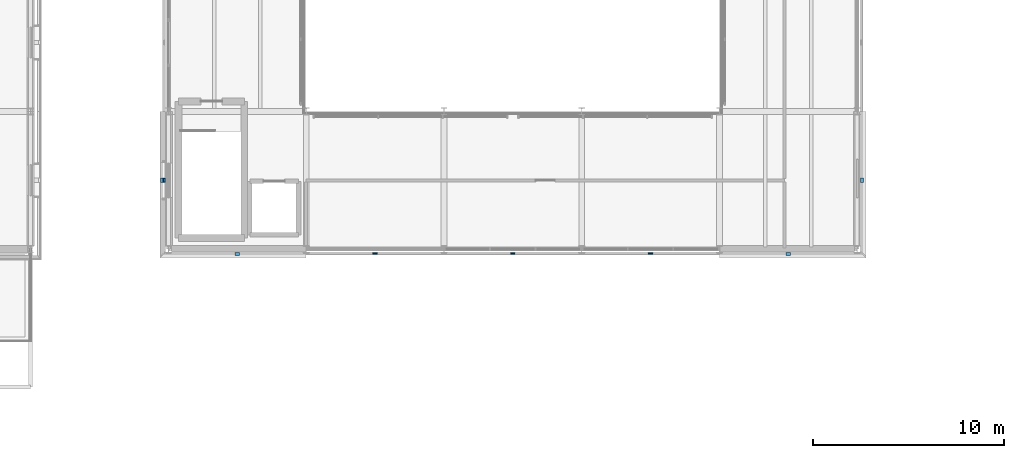
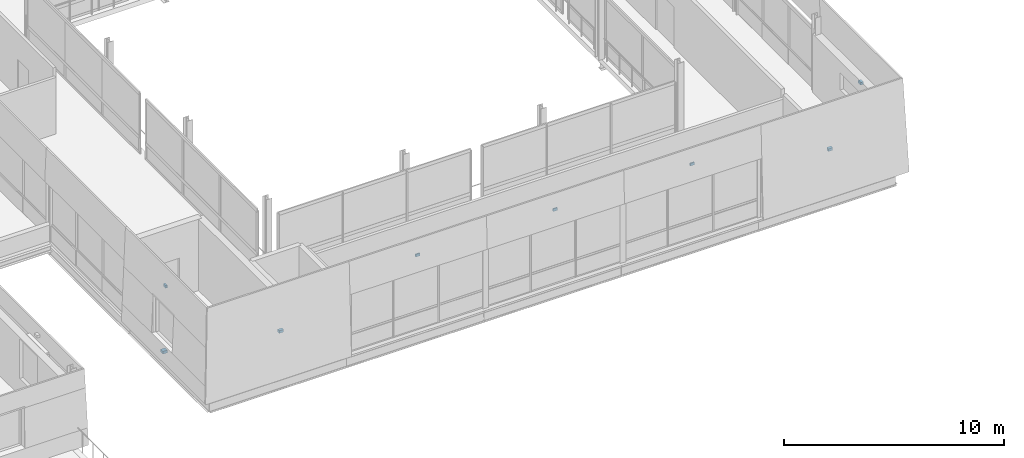
# One storey, part 70 of 91: 8 discrete accessories.
"""IFC4 building model written with IfcOpenShell, lengths in metres."""

from ifc_helpers import new_model, si_unit, direction, frame, origin, origin_2d, place, context, subcontext, project, spatial, rectangle, extrude, material, layer, layer_set, type_object, element, save


model = new_model("IFC4")

# Units and contexts
model_context = context("Model", 3, precision=1e-05, world=origin(), true_north=direction((0.0, 1.0)))
body_context = subcontext(model_context, "Body", "Model", "MODEL_VIEW")
ifc_project = project(units=[si_unit("LENGTHUNIT", "METRE"), si_unit("AREAUNIT", "SQUARE_METRE"), si_unit("VOLUMEUNIT", "CUBIC_METRE"), si_unit("PLANEANGLEUNIT", "RADIAN"), si_unit("MASSUNIT", "GRAM", prefix="KILO")], contexts=[model_context])

# Site, building, storey
site_placement = place(None, origin())
site = spatial("IfcSite", under=ifc_project, at=site_placement, CompositionType="ELEMENT")
building_placement = place(site_placement, origin())
building = spatial("IfcBuilding", under=site, at=building_placement, Name="Narikvali Park Central Library", CompositionType="ELEMENT")
storey_placement = place(building_placement, frame((0.0, 0.0, 14.39990234375)))
storey = spatial("IfcBuildingStorey", under=building, at=storey_placement, Name="L03", CompositionType="ELEMENT", Elevation=14.39990234375)

# Discrete accessories
ifc_material = material(Name="Brushed Stainless Steel S355", Category="steel")
ifc_layer = layer(ifc_material, 0.139892578125, Name="Brushed Stainless Steel S355")
ifc_layer_set = layer_set([ifc_layer], Name="Brushed Stainless Steel S355")
discrete_accessory_type = type_object("IfcDiscreteAccessoryType", Name="Cladding Stainless Tie-Back Corbel Bracket", PredefinedType="BRACKET", material=ifc_layer_set)
discrete_accessory_1_placement = place(storey_placement, frame((68.39990234375, 57.352294921875, 2.50537109375), z_axis=(0.0, 0.0, 1.0), x_axis=(1.0, 0.0, 0.0)))
element("IfcDiscreteAccessory", 1, at=discrete_accessory_1_placement, inside=storey, type_object=discrete_accessory_type, Name="Limestone Cladding Tie-Back Bracket V1-CLD-L03-S-B01-FULL", PredefinedType="BRACKET", context=body_context, shape_type="SweptSolid", body=[
    extrude(rectangle(XDim=0.219970703125, YDim=0.1552734375, at=origin_2d()), origin(), (0.0, 0.0, 1.0), 0.139892578125),
])
for number, where, z_axis, x_axis, name in (
    (2, (75.60009765625, 57.37646484375, 4.17529296875), (0.0, 0.0, 1.0), (1.0, 0.0, 0.0), "Limestone Cladding Tie-Back Bracket V1-CLD-L03-S-B02-HDR"),
    (3, (82.800048828125, 57.37646484375, 4.17529296875), (0.0, 0.0, 1.0), (1.0, 0.0, 0.0), "Limestone Cladding Tie-Back Bracket V1-CLD-L03-S-B03-HDR"),
    (4, (90.0, 57.37646484375, 4.17529296875), (0.0, 0.0, 1.0), (1.0, 0.0, 0.0), "Limestone Cladding Tie-Back Bracket V1-CLD-L03-S-B04-HDR"),
):
    element("IfcDiscreteAccessory", number, at=place(storey_placement, frame(where, z_axis=z_axis, x_axis=x_axis)), inside=storey, type_object=discrete_accessory_type, Name=name, PredefinedType="BRACKET", context=body_context, shape_type="SweptSolid", body=[
        extrude(rectangle(XDim=0.219970703125, YDim=0.06689453125, at=origin_2d()), origin(), (0.0, 0.0, 1.0), 0.139892578125),
    ])
discrete_accessory_2_placement = place(storey_placement, frame((97.199951171875, 57.352294921875, 2.50537109375), z_axis=(0.0, 0.0, 1.0), x_axis=(1.0, 0.0, 0.0)))
element("IfcDiscreteAccessory", 5, at=discrete_accessory_2_placement, inside=storey, type_object=discrete_accessory_type, Name="Limestone Cladding Tie-Back Bracket V1-CLD-L03-S-B05-FULL", PredefinedType="BRACKET", context=body_context, shape_type="SweptSolid", body=[
    extrude(rectangle(XDim=0.219970703125, YDim=0.1552734375, at=origin_2d()), origin(), (0.0, 0.0, 1.0), 0.139892578125),
])
discrete_accessory_3_placement = place(storey_placement, frame((101.047607421875, 61.199951171875, 2.50537109375), z_axis=(0.0, 0.0, 1.0), x_axis=(1.0, 0.0, 0.0)))
element("IfcDiscreteAccessory", 6, at=discrete_accessory_3_placement, inside=storey, type_object=discrete_accessory_type, Name="Limestone Cladding Tie-Back Bracket V1-CLD-L03-E-B01-FULL", PredefinedType="BRACKET", context=body_context, shape_type="SweptSolid", body=[
    extrude(rectangle(XDim=0.1552734375, YDim=0.219970703125, at=origin_2d()), origin(), (0.0, 0.0, 1.0), 0.139892578125),
])
discrete_accessory_4_placement = place(storey_placement, frame((64.50927734375, 61.199951171875, 0.4052734375), z_axis=(0.0, 0.0, 1.0), x_axis=(1.0, 0.0, 0.0)))
element("IfcDiscreteAccessory", 7, at=discrete_accessory_4_placement, inside=storey, type_object=discrete_accessory_type, Name="Limestone Cladding Tie-Back Bracket V1-CLD-L03-W-B05-SP", PredefinedType="BRACKET", context=body_context, shape_type="SweptSolid", body=[
    extrude(rectangle(XDim=0.2412109375, YDim=0.219970703125, at=origin_2d()), origin(), (0.0, 0.0, 1.0), 0.139892578125),
])
discrete_accessory_5_placement = place(storey_placement, frame((64.5830078125, 61.199951171875, 4.00537109375), z_axis=(0.0, 0.0, 1.0), x_axis=(1.0, 0.0, 0.0)))
element("IfcDiscreteAccessory", 8, at=discrete_accessory_5_placement, inside=storey, type_object=discrete_accessory_type, Name="Limestone Cladding Tie-Back Bracket V1-CLD-L03-W-B05-LN", PredefinedType="BRACKET", context=body_context, shape_type="SweptSolid", body=[
    extrude(rectangle(XDim=0.093994140625, YDim=0.219970703125, at=origin_2d()), origin(), (0.0, 0.0, 1.0), 0.139892578125),
])

save(model, "model.ifc")
